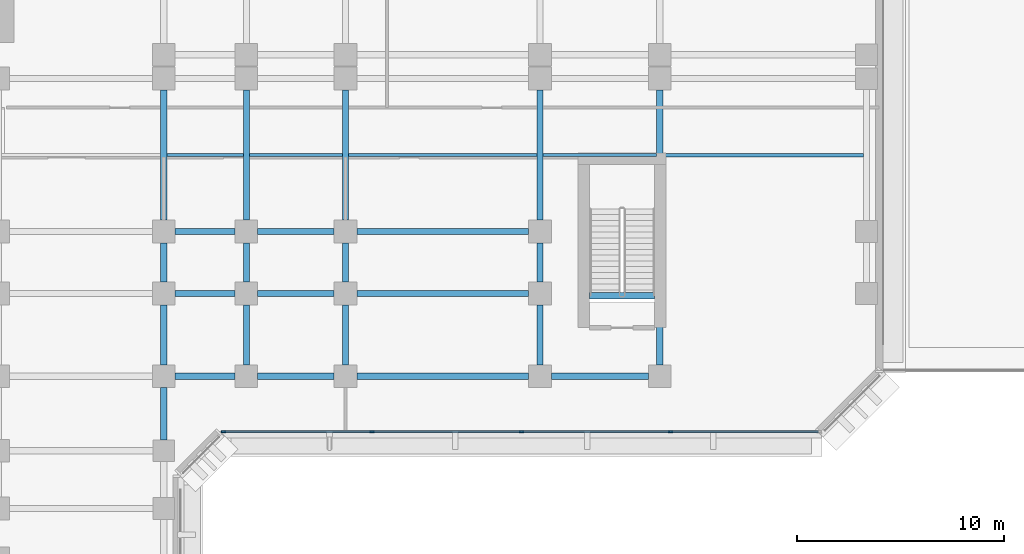
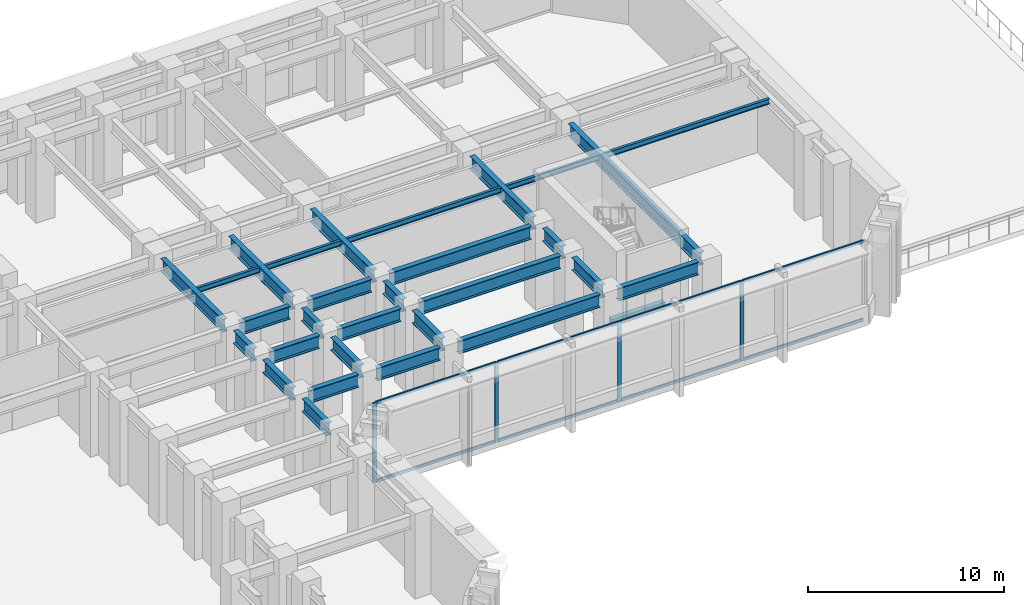
# One storey, part 3 of 16: 30 beams, 12 members, 1 element without a shape of its own.
"""IFC4 building model written with IfcOpenShell, lengths in metres."""

from ifc_helpers import new_model, si_unit, direction, frame, origin, origin_2d, place, context, subcontext, project, spatial, rectangle, i_section, extrude, material, layer, layer_set, material_profile, profile_set, type_object, element, aggregate, save


model = new_model("IFC4")

# Units and contexts
model_context = context("Model", 3, precision=1e-05, world=origin(), true_north=direction((0.0, 1.0)))
body_context = subcontext(model_context, "Body", "Model", "MODEL_VIEW")
ifc_project = project(units=[si_unit("LENGTHUNIT", "METRE"), si_unit("AREAUNIT", "SQUARE_METRE"), si_unit("VOLUMEUNIT", "CUBIC_METRE"), si_unit("PLANEANGLEUNIT", "RADIAN"), si_unit("MASSUNIT", "GRAM", prefix="KILO")], contexts=[model_context])

# Site, building, storey
site_placement = place(None, origin())
site = spatial("IfcSite", under=ifc_project, at=site_placement, CompositionType="ELEMENT")
building_placement = place(site_placement, origin())
building = spatial("IfcBuilding", under=site, at=building_placement, Name="Kefirva Bronze Tower", CompositionType="ELEMENT")
storey_placement = place(building_placement, frame((0.0, 0.0, 11.219970703125)))
storey = spatial("IfcBuildingStorey", under=building, at=storey_placement, Name="L02", CompositionType="ELEMENT", Elevation=11.219970703125)

# Curtain wall, members
ifc_material_1 = material(Name="Bronze anodised aluminium", Category="aluminium")
ifc_layer = layer(ifc_material_1, 0.239990234375, Name="Bronze anodised aluminium")
ifc_layer_set = layer_set([ifc_layer], Name="Bronze anodised aluminium")
curtain_wall_type = type_object("IfcCurtainWallType", Name="Podium Double-Height Glazed Curtain Wall", PredefinedType="USERDEFINED", material=ifc_layer_set)
curtain_wall_placement = place(storey_placement, origin())
curtain_wall = element("IfcCurtainWall", 1, at=curtain_wall_placement, inside=storey, type_object=curtain_wall_type, Name="L02 Curtain Wall 2", ObjectType="UNITISED CURTAIN WALL", PredefinedType="USERDEFINED")
ifc_material_profile_1 = material_profile(ifc_material_1, rectangle(XDim=0.090087890625, YDim=0.219970703125, at=origin_2d()), Name="ALU 90x220")
ifc_profile_set_1 = profile_set([ifc_material_profile_1], Name="Bronze anodised aluminium")
member_type_1 = type_object("IfcMemberType", Name="Bronze Mullion 90x220", PredefinedType="MULLION", material=ifc_profile_set_1)
member_1_placement = place(storey_placement, frame((34.10009765625, 16.1201171875, 0.0), z_axis=(0.0, 0.0, 1.0), x_axis=(0.0, 1.0, 0.0)))
member_1 = element("IfcMember", 2, at=member_1_placement, type_object=member_type_1, Name="CW-05 mullion 1", PredefinedType="MULLION", context=body_context, shape_type="SweptSolid", body=[
    extrude(rectangle(XDim=0.090087890625, YDim=0.219970703125, at=origin_2d()), origin(), (0.0, 0.0, 1.0), 4.9599609375),
])
member_2_placement = place(storey_placement, frame((41.277587890625, 16.1201171875, 0.0), z_axis=(0.0, 0.0, 1.0), x_axis=(0.0, 1.0, 0.0)))
member_2 = element("IfcMember", 3, at=member_2_placement, type_object=member_type_1, Name="CW-05 mullion 2", PredefinedType="MULLION", context=body_context, shape_type="SweptSolid", body=[
    extrude(rectangle(XDim=0.090087890625, YDim=0.219970703125, at=origin_2d()), origin(), (0.0, 0.0, 1.0), 4.9599609375),
])
member_3_placement = place(storey_placement, frame((48.5, 16.1201171875, 0.0), z_axis=(0.0, 0.0, 1.0), x_axis=(0.0, 1.0, 0.0)))
member_3 = element("IfcMember", 4, at=member_3_placement, type_object=member_type_1, Name="CW-05 mullion 3", PredefinedType="MULLION", context=body_context, shape_type="SweptSolid", body=[
    extrude(rectangle(XDim=0.090087890625, YDim=0.219970703125, at=origin_2d()), origin(), (0.0, 0.0, 1.0), 4.9599609375),
])
member_4_placement = place(storey_placement, frame((55.722412109375, 16.1201171875, 0.0), z_axis=(0.0, 0.0, 1.0), x_axis=(0.0, 1.0, 0.0)))
member_4 = element("IfcMember", 5, at=member_4_placement, type_object=member_type_1, Name="CW-05 mullion 4", PredefinedType="MULLION", context=body_context, shape_type="SweptSolid", body=[
    extrude(rectangle(XDim=0.090087890625, YDim=0.219970703125, at=origin_2d()), origin(), (0.0, 0.0, 1.0), 4.9599609375),
])
ifc_material_profile_2 = material_profile(ifc_material_1, rectangle(XDim=0.090087890625, YDim=0.179931640625, at=origin_2d()), Name="ALU 90x180")
ifc_profile_set_2 = profile_set([ifc_material_profile_2], Name="Bronze anodised aluminium")
member_type_2 = type_object("IfcMemberType", Name="Bronze Transom 90x180", PredefinedType="USERDEFINED", material=ifc_profile_set_2)
member_5_placement = place(storey_placement, frame((34.14501953125, 16.1201171875, 0.044921875), z_axis=(1.0, 0.0, 0.0), x_axis=(0.0, 1.0, 0.0)))
member_5 = element("IfcMember", 6, at=member_5_placement, type_object=member_type_2, Name="CW-05 transom 1.1", ObjectType="TRANSOM", PredefinedType="USERDEFINED", context=body_context, shape_type="SweptSolid", body=[
    extrude(rectangle(XDim=0.090087890625, YDim=0.179931640625, at=origin_2d()), origin(), (0.0, 0.0, 1.0), 7.08740234375),
])
member_6_placement = place(storey_placement, frame((34.14501953125, 16.1201171875, 4.9150390625), z_axis=(1.0, 0.0, 0.0), x_axis=(0.0, 1.0, 0.0)))
member_6 = element("IfcMember", 7, at=member_6_placement, type_object=member_type_2, Name="CW-05 transom 1.2", ObjectType="TRANSOM", PredefinedType="USERDEFINED", context=body_context, shape_type="SweptSolid", body=[
    extrude(rectangle(XDim=0.090087890625, YDim=0.179931640625, at=origin_2d()), origin(), (0.0, 0.0, 1.0), 7.08740234375),
])
member_7_placement = place(storey_placement, frame((41.322509765625, 16.1201171875, 0.044921875), z_axis=(1.0, 0.0, 0.0), x_axis=(0.0, 1.0, 0.0)))
member_7 = element("IfcMember", 8, at=member_7_placement, type_object=member_type_2, Name="CW-05 transom 2.1", ObjectType="TRANSOM", PredefinedType="USERDEFINED", context=body_context, shape_type="SweptSolid", body=[
    extrude(rectangle(XDim=0.090087890625, YDim=0.179931640625, at=origin_2d()), origin(), (0.0, 0.0, 1.0), 7.132568359375),
])
member_8_placement = place(storey_placement, frame((41.322509765625, 16.1201171875, 4.9150390625), z_axis=(1.0, 0.0, 0.0), x_axis=(0.0, 1.0, 0.0)))
member_8 = element("IfcMember", 9, at=member_8_placement, type_object=member_type_2, Name="CW-05 transom 2.2", ObjectType="TRANSOM", PredefinedType="USERDEFINED", context=body_context, shape_type="SweptSolid", body=[
    extrude(rectangle(XDim=0.090087890625, YDim=0.179931640625, at=origin_2d()), origin(), (0.0, 0.0, 1.0), 7.132568359375),
])
member_9_placement = place(storey_placement, frame((48.544921875, 16.1201171875, 0.044921875), z_axis=(1.0, 0.0, 0.0), x_axis=(0.0, 1.0, 0.0)))
member_9 = element("IfcMember", 10, at=member_9_placement, type_object=member_type_2, Name="CW-05 transom 3.1", ObjectType="TRANSOM", PredefinedType="USERDEFINED", context=body_context, shape_type="SweptSolid", body=[
    extrude(rectangle(XDim=0.090087890625, YDim=0.179931640625, at=origin_2d()), origin(), (0.0, 0.0, 1.0), 7.132568359375),
])
member_10_placement = place(storey_placement, frame((48.544921875, 16.1201171875, 4.9150390625), z_axis=(1.0, 0.0, 0.0), x_axis=(0.0, 1.0, 0.0)))
member_10 = element("IfcMember", 11, at=member_10_placement, type_object=member_type_2, Name="CW-05 transom 3.2", ObjectType="TRANSOM", PredefinedType="USERDEFINED", context=body_context, shape_type="SweptSolid", body=[
    extrude(rectangle(XDim=0.090087890625, YDim=0.179931640625, at=origin_2d()), origin(), (0.0, 0.0, 1.0), 7.132568359375),
])
member_11_placement = place(storey_placement, frame((55.767578125, 16.1201171875, 0.044921875), z_axis=(1.0, 0.0, 0.0), x_axis=(0.0, 1.0, 0.0)))
member_11 = element("IfcMember", 12, at=member_11_placement, type_object=member_type_2, Name="CW-05 transom 4.1", ObjectType="TRANSOM", PredefinedType="USERDEFINED", context=body_context, shape_type="SweptSolid", body=[
    extrude(rectangle(XDim=0.090087890625, YDim=0.179931640625, at=origin_2d()), origin(), (0.0, 0.0, 1.0), 7.08740234375),
])
member_12_placement = place(storey_placement, frame((55.767578125, 16.1201171875, 4.9150390625), z_axis=(1.0, 0.0, 0.0), x_axis=(0.0, 1.0, 0.0)))
member_12 = element("IfcMember", 13, at=member_12_placement, type_object=member_type_2, Name="CW-05 transom 4.2", ObjectType="TRANSOM", PredefinedType="USERDEFINED", context=body_context, shape_type="SweptSolid", body=[
    extrude(rectangle(XDim=0.090087890625, YDim=0.179931640625, at=origin_2d()), origin(), (0.0, 0.0, 1.0), 7.08740234375),
])
aggregate(curtain_wall, [member_1, member_2, member_3, member_4, member_5, member_6, member_7, member_8, member_9, member_10, member_11, member_12])

# Beams
ifc_material_2 = material(Name="Concrete C50/60", Category="concrete")
ifc_material_profile_3 = material_profile(ifc_material_2, rectangle(XDim=0.300048828125, YDim=0.449951171875, at=origin_2d()), Name="RC 300x450")
ifc_profile_set_3 = profile_set([ifc_material_profile_3], Name="Concrete C50/60")
beam_type_1 = type_object("IfcBeamType", Name="RC Stair Trimmer Beam 300x450", PredefinedType="BEAM", material=ifc_profile_set_3)
beam_1_placement = place(storey_placement, frame((51.794921875, 22.699951171875, -0.224853515625), z_axis=(1.0, 0.0, 0.0), x_axis=(0.0, 1.0, 0.0)))
element("IfcBeam", 14, at=beam_1_placement, inside=storey, type_object=beam_type_1, Name="L02 Stair 4 Landing Trimmer Beam", PredefinedType="BEAM", context=body_context, shape_type="SweptSolid", body=[
    extrude(rectangle(XDim=0.300048828125, YDim=0.449951171875, at=origin_2d()), origin(), (0.0, 0.0, 1.0), 3.150146484375),
])
ifc_material_3 = material(Name="Steel S355", Category="steel")
ifc_material_profile_4 = material_profile(ifc_material_3, i_section(OverallWidth=0.159912109375, OverallDepth=0.330078125, WebThickness=0.007568359375, FlangeThickness=0.011474609375, at=origin_2d()), Name="IPE 330")
ifc_profile_set_4 = profile_set([ifc_material_profile_4], Name="Steel S355")
beam_type_2 = type_object("IfcBeamType", Name="Steel Floor Joist IPE 330", PredefinedType="JOIST", material=ifc_profile_set_4)
beam_2_placement = place(storey_placement, frame((31.35009765625, 29.5, 4.794921875), z_axis=(1.0, 0.0, 0.0), x_axis=(0.0, 1.0, 0.0)))
element("IfcBeam", 15, at=beam_2_placement, inside=storey, type_object=beam_type_2, Name="L02 JST-L02-31-295", PredefinedType="JOIST", context=body_context, shape_type="SweptSolid", body=[
    extrude(i_section(OverallWidth=0.159912109375, OverallDepth=0.330078125, WebThickness=0.007568359375, FlangeThickness=0.011474609375, at=origin_2d()), origin(), (0.0, 0.0, 1.0), 3.699951171875),
])
beam_3_placement = place(storey_placement, frame((35.35009765625, 29.5, 4.794921875), z_axis=(1.0, 0.0, 0.0), x_axis=(0.0, 1.0, 0.0)))
element("IfcBeam", 16, at=beam_3_placement, inside=storey, type_object=beam_type_2, Name="L02 JST-L02-35-295", PredefinedType="JOIST", context=body_context, shape_type="SweptSolid", body=[
    extrude(i_section(OverallWidth=0.159912109375, OverallDepth=0.330078125, WebThickness=0.007568359375, FlangeThickness=0.011474609375, at=origin_2d()), origin(), (0.0, 0.0, 1.0), 4.5),
])
beam_4_placement = place(storey_placement, frame((40.14990234375, 29.5, 4.794921875), z_axis=(1.0, 0.0, 0.0), x_axis=(0.0, 1.0, 0.0)))
element("IfcBeam", 17, at=beam_4_placement, inside=storey, type_object=beam_type_2, Name="L02 JST-L02-40-295", PredefinedType="JOIST", context=body_context, shape_type="SweptSolid", body=[
    extrude(i_section(OverallWidth=0.159912109375, OverallDepth=0.330078125, WebThickness=0.007568359375, FlangeThickness=0.011474609375, at=origin_2d()), origin(), (0.0, 0.0, 1.0), 9.10009765625),
])
beam_5_placement = place(storey_placement, frame((49.550048828125, 29.5, 4.794921875), z_axis=(1.0, 0.0, 0.0), x_axis=(0.0, 1.0, 0.0)))
element("IfcBeam", 18, at=beam_5_placement, inside=storey, type_object=beam_type_2, Name="L02 JST-L02-49-295", PredefinedType="JOIST", context=body_context, shape_type="SweptSolid", body=[
    extrude(i_section(OverallWidth=0.159912109375, OverallDepth=0.330078125, WebThickness=0.007568359375, FlangeThickness=0.011474609375, at=origin_2d()), origin(), (0.0, 0.0, 1.0), 5.5),
])
beam_6_placement = place(storey_placement, frame((55.35009765625, 29.487548828125, 4.794921875), z_axis=(1.0, 0.0, 0.0), x_axis=(0.0, 1.0, 0.0)))
element("IfcBeam", 19, at=beam_6_placement, inside=storey, type_object=beam_type_2, Name="L02 JST-L02-55-294", PredefinedType="JOIST", context=body_context, shape_type="SweptSolid", body=[
    extrude(i_section(OverallWidth=0.159912109375, OverallDepth=0.330078125, WebThickness=0.007568359375, FlangeThickness=0.011474609375, at=origin_2d()), origin(), (0.0, 0.0, 1.0), 9.699951171875),
])
ifc_material_profile_5 = material_profile(ifc_material_3, i_section(OverallWidth=0.300048828125, OverallDepth=0.800048828125, WebThickness=0.017578125, FlangeThickness=0.032958984375, at=origin_2d()), Name="HEB 800")
ifc_profile_set_5 = profile_set([ifc_material_profile_5], Name="Steel S355")
beam_type_3 = type_object("IfcBeamType", Name="Steel Girder HEB 800", PredefinedType="USERDEFINED", material=ifc_profile_set_5)
beam_7_placement = place(storey_placement, frame((31.75, 18.800048828125, 4.56005859375), z_axis=(1.0, 0.0, 0.0), x_axis=(0.0, 1.0, 0.0)))
element("IfcBeam", 20, at=beam_7_placement, inside=storey, type_object=beam_type_3, Name="L02 BM-L02-EW-31-188", ObjectType="GIRDER", PredefinedType="USERDEFINED", context=body_context, shape_type="SweptSolid", body=[
    extrude(i_section(OverallWidth=0.300048828125, OverallDepth=0.800048828125, WebThickness=0.017578125, FlangeThickness=0.032958984375, at=origin_2d()), origin(), (0.0, 0.0, 1.0), 2.89990234375),
])
beam_8_placement = place(storey_placement, frame((35.75, 18.800048828125, 4.56005859375), z_axis=(1.0, 0.0, 0.0), x_axis=(0.0, 1.0, 0.0)))
element("IfcBeam", 21, at=beam_8_placement, inside=storey, type_object=beam_type_3, Name="L02 BM-L02-EW-35-188", ObjectType="GIRDER", PredefinedType="USERDEFINED", context=body_context, shape_type="SweptSolid", body=[
    extrude(i_section(OverallWidth=0.300048828125, OverallDepth=0.800048828125, WebThickness=0.017578125, FlangeThickness=0.032958984375, at=origin_2d()), origin(), (0.0, 0.0, 1.0), 3.699951171875),
])
beam_9_placement = place(storey_placement, frame((40.550048828125, 18.800048828125, 4.56005859375), z_axis=(1.0, 0.0, 0.0), x_axis=(0.0, 1.0, 0.0)))
element("IfcBeam", 22, at=beam_9_placement, inside=storey, type_object=beam_type_3, Name="L02 BM-L02-EW-40-188", ObjectType="GIRDER", PredefinedType="USERDEFINED", context=body_context, shape_type="SweptSolid", body=[
    extrude(i_section(OverallWidth=0.300048828125, OverallDepth=0.800048828125, WebThickness=0.017578125, FlangeThickness=0.032958984375, at=origin_2d()), origin(), (0.0, 0.0, 1.0), 8.300048828125),
])
beam_10_placement = place(storey_placement, frame((49.949951171875, 18.800048828125, 4.56005859375), z_axis=(1.0, 0.0, 0.0), x_axis=(0.0, 1.0, 0.0)))
element("IfcBeam", 23, at=beam_10_placement, inside=storey, type_object=beam_type_3, Name="L02 BM-L02-EW-49-188", ObjectType="GIRDER", PredefinedType="USERDEFINED", context=body_context, shape_type="SweptSolid", body=[
    extrude(i_section(OverallWidth=0.300048828125, OverallDepth=0.800048828125, WebThickness=0.017578125, FlangeThickness=0.032958984375, at=origin_2d()), origin(), (0.0, 0.0, 1.0), 4.699951171875),
])
beam_11_placement = place(storey_placement, frame((31.75, 22.800048828125, 4.56005859375), z_axis=(1.0, 0.0, 0.0), x_axis=(0.0, 1.0, 0.0)))
element("IfcBeam", 24, at=beam_11_placement, inside=storey, type_object=beam_type_3, Name="L02 BM-L02-EW-31-228", ObjectType="GIRDER", PredefinedType="USERDEFINED", context=body_context, shape_type="SweptSolid", body=[
    extrude(i_section(OverallWidth=0.300048828125, OverallDepth=0.800048828125, WebThickness=0.017578125, FlangeThickness=0.032958984375, at=origin_2d()), origin(), (0.0, 0.0, 1.0), 2.89990234375),
])
beam_12_placement = place(storey_placement, frame((35.75, 22.800048828125, 4.56005859375), z_axis=(1.0, 0.0, 0.0), x_axis=(0.0, 1.0, 0.0)))
element("IfcBeam", 25, at=beam_12_placement, inside=storey, type_object=beam_type_3, Name="L02 BM-L02-EW-35-228", ObjectType="GIRDER", PredefinedType="USERDEFINED", context=body_context, shape_type="SweptSolid", body=[
    extrude(i_section(OverallWidth=0.300048828125, OverallDepth=0.800048828125, WebThickness=0.017578125, FlangeThickness=0.032958984375, at=origin_2d()), origin(), (0.0, 0.0, 1.0), 3.699951171875),
])
beam_13_placement = place(storey_placement, frame((40.550048828125, 22.800048828125, 4.56005859375), z_axis=(1.0, 0.0, 0.0), x_axis=(0.0, 1.0, 0.0)))
element("IfcBeam", 26, at=beam_13_placement, inside=storey, type_object=beam_type_3, Name="L02 BM-L02-EW-40-228", ObjectType="GIRDER", PredefinedType="USERDEFINED", context=body_context, shape_type="SweptSolid", body=[
    extrude(i_section(OverallWidth=0.300048828125, OverallDepth=0.800048828125, WebThickness=0.017578125, FlangeThickness=0.032958984375, at=origin_2d()), origin(), (0.0, 0.0, 1.0), 8.300048828125),
])
beam_14_placement = place(storey_placement, frame((31.75, 25.800048828125, 4.56005859375), z_axis=(1.0, 0.0, 0.0), x_axis=(0.0, 1.0, 0.0)))
element("IfcBeam", 27, at=beam_14_placement, inside=storey, type_object=beam_type_3, Name="L02 BM-L02-EW-31-258", ObjectType="GIRDER", PredefinedType="USERDEFINED", context=body_context, shape_type="SweptSolid", body=[
    extrude(i_section(OverallWidth=0.300048828125, OverallDepth=0.800048828125, WebThickness=0.017578125, FlangeThickness=0.032958984375, at=origin_2d()), origin(), (0.0, 0.0, 1.0), 2.89990234375),
])
beam_15_placement = place(storey_placement, frame((35.75, 25.800048828125, 4.56005859375), z_axis=(1.0, 0.0, 0.0), x_axis=(0.0, 1.0, 0.0)))
element("IfcBeam", 28, at=beam_15_placement, inside=storey, type_object=beam_type_3, Name="L02 BM-L02-EW-35-258", ObjectType="GIRDER", PredefinedType="USERDEFINED", context=body_context, shape_type="SweptSolid", body=[
    extrude(i_section(OverallWidth=0.300048828125, OverallDepth=0.800048828125, WebThickness=0.017578125, FlangeThickness=0.032958984375, at=origin_2d()), origin(), (0.0, 0.0, 1.0), 3.699951171875),
])
beam_16_placement = place(storey_placement, frame((40.550048828125, 25.800048828125, 4.56005859375), z_axis=(1.0, 0.0, 0.0), x_axis=(0.0, 1.0, 0.0)))
element("IfcBeam", 29, at=beam_16_placement, inside=storey, type_object=beam_type_3, Name="L02 BM-L02-EW-40-258", ObjectType="GIRDER", PredefinedType="USERDEFINED", context=body_context, shape_type="SweptSolid", body=[
    extrude(i_section(OverallWidth=0.300048828125, OverallDepth=0.800048828125, WebThickness=0.017578125, FlangeThickness=0.032958984375, at=origin_2d()), origin(), (0.0, 0.0, 1.0), 8.300048828125),
])
beam_17_placement = place(storey_placement, frame((31.199951171875, 15.72509765625, 4.56005859375), z_axis=(0.0, 1.0, 0.0), x_axis=(-1.0, 0.0, 0.0)))
element("IfcBeam", 30, at=beam_17_placement, inside=storey, type_object=beam_type_3, Name="L02 BM-L02-NS-312-15", ObjectType="GIRDER", PredefinedType="USERDEFINED", context=body_context, shape_type="SweptSolid", body=[
    extrude(i_section(OverallWidth=0.300048828125, OverallDepth=0.800048828125, WebThickness=0.017578125, FlangeThickness=0.032958984375, at=origin_2d()), origin(), (0.0, 0.0, 1.0), 2.52490234375),
])
beam_18_placement = place(storey_placement, frame((31.199951171875, 19.35009765625, 4.56005859375), z_axis=(0.0, 1.0, 0.0), x_axis=(-1.0, 0.0, 0.0)))
element("IfcBeam", 31, at=beam_18_placement, inside=storey, type_object=beam_type_3, Name="L02 BM-L02-NS-312-18", ObjectType="GIRDER", PredefinedType="USERDEFINED", context=body_context, shape_type="SweptSolid", body=[
    extrude(i_section(OverallWidth=0.300048828125, OverallDepth=0.800048828125, WebThickness=0.017578125, FlangeThickness=0.032958984375, at=origin_2d()), origin(), (0.0, 0.0, 1.0), 2.89990234375),
])
beam_19_placement = place(storey_placement, frame((31.199951171875, 23.35009765625, 4.56005859375), z_axis=(0.0, 1.0, 0.0), x_axis=(-1.0, 0.0, 0.0)))
element("IfcBeam", 32, at=beam_19_placement, inside=storey, type_object=beam_type_3, Name="L02 BM-L02-NS-312-22", ObjectType="GIRDER", PredefinedType="USERDEFINED", context=body_context, shape_type="SweptSolid", body=[
    extrude(i_section(OverallWidth=0.300048828125, OverallDepth=0.800048828125, WebThickness=0.017578125, FlangeThickness=0.032958984375, at=origin_2d()), origin(), (0.0, 0.0, 1.0), 1.89990234375),
])
beam_20_placement = place(storey_placement, frame((31.199951171875, 26.35009765625, 4.56005859375), z_axis=(0.0, 1.0, 0.0), x_axis=(-1.0, 0.0, 0.0)))
element("IfcBeam", 33, at=beam_20_placement, inside=storey, type_object=beam_type_3, Name="L02 BM-L02-NS-312-25", ObjectType="GIRDER", PredefinedType="USERDEFINED", context=body_context, shape_type="SweptSolid", body=[
    extrude(i_section(OverallWidth=0.300048828125, OverallDepth=0.800048828125, WebThickness=0.017578125, FlangeThickness=0.032958984375, at=origin_2d()), origin(), (0.0, 0.0, 1.0), 6.2998046875),
])
beam_21_placement = place(storey_placement, frame((35.199951171875, 19.35009765625, 4.56005859375), z_axis=(0.0, 1.0, 0.0), x_axis=(-1.0, 0.0, 0.0)))
element("IfcBeam", 34, at=beam_21_placement, inside=storey, type_object=beam_type_3, Name="L02 BM-L02-NS-352-18", ObjectType="GIRDER", PredefinedType="USERDEFINED", context=body_context, shape_type="SweptSolid", body=[
    extrude(i_section(OverallWidth=0.300048828125, OverallDepth=0.800048828125, WebThickness=0.017578125, FlangeThickness=0.032958984375, at=origin_2d()), origin(), (0.0, 0.0, 1.0), 2.89990234375),
])
beam_22_placement = place(storey_placement, frame((35.199951171875, 23.35009765625, 4.56005859375), z_axis=(0.0, 1.0, 0.0), x_axis=(-1.0, 0.0, 0.0)))
element("IfcBeam", 35, at=beam_22_placement, inside=storey, type_object=beam_type_3, Name="L02 BM-L02-NS-352-22", ObjectType="GIRDER", PredefinedType="USERDEFINED", context=body_context, shape_type="SweptSolid", body=[
    extrude(i_section(OverallWidth=0.300048828125, OverallDepth=0.800048828125, WebThickness=0.017578125, FlangeThickness=0.032958984375, at=origin_2d()), origin(), (0.0, 0.0, 1.0), 1.89990234375),
])
beam_23_placement = place(storey_placement, frame((35.199951171875, 26.35009765625, 4.56005859375), z_axis=(0.0, 1.0, 0.0), x_axis=(-1.0, 0.0, 0.0)))
element("IfcBeam", 36, at=beam_23_placement, inside=storey, type_object=beam_type_3, Name="L02 BM-L02-NS-352-25", ObjectType="GIRDER", PredefinedType="USERDEFINED", context=body_context, shape_type="SweptSolid", body=[
    extrude(i_section(OverallWidth=0.300048828125, OverallDepth=0.800048828125, WebThickness=0.017578125, FlangeThickness=0.032958984375, at=origin_2d()), origin(), (0.0, 0.0, 1.0), 6.2998046875),
])
beam_24_placement = place(storey_placement, frame((40.0, 19.35009765625, 4.56005859375), z_axis=(0.0, 1.0, 0.0), x_axis=(-1.0, 0.0, 0.0)))
element("IfcBeam", 37, at=beam_24_placement, inside=storey, type_object=beam_type_3, Name="L02 BM-L02-NS-400-18", ObjectType="GIRDER", PredefinedType="USERDEFINED", context=body_context, shape_type="SweptSolid", body=[
    extrude(i_section(OverallWidth=0.300048828125, OverallDepth=0.800048828125, WebThickness=0.017578125, FlangeThickness=0.032958984375, at=origin_2d()), origin(), (0.0, 0.0, 1.0), 2.89990234375),
])
beam_25_placement = place(storey_placement, frame((40.0, 23.35009765625, 4.56005859375), z_axis=(0.0, 1.0, 0.0), x_axis=(-1.0, 0.0, 0.0)))
element("IfcBeam", 38, at=beam_25_placement, inside=storey, type_object=beam_type_3, Name="L02 BM-L02-NS-400-22", ObjectType="GIRDER", PredefinedType="USERDEFINED", context=body_context, shape_type="SweptSolid", body=[
    extrude(i_section(OverallWidth=0.300048828125, OverallDepth=0.800048828125, WebThickness=0.017578125, FlangeThickness=0.032958984375, at=origin_2d()), origin(), (0.0, 0.0, 1.0), 1.89990234375),
])
beam_26_placement = place(storey_placement, frame((40.0, 26.35009765625, 4.56005859375), z_axis=(0.0, 1.0, 0.0), x_axis=(-1.0, 0.0, 0.0)))
element("IfcBeam", 39, at=beam_26_placement, inside=storey, type_object=beam_type_3, Name="L02 BM-L02-NS-400-25", ObjectType="GIRDER", PredefinedType="USERDEFINED", context=body_context, shape_type="SweptSolid", body=[
    extrude(i_section(OverallWidth=0.300048828125, OverallDepth=0.800048828125, WebThickness=0.017578125, FlangeThickness=0.032958984375, at=origin_2d()), origin(), (0.0, 0.0, 1.0), 6.2998046875),
])
beam_27_placement = place(storey_placement, frame((49.39990234375, 19.35009765625, 4.56005859375), z_axis=(0.0, 1.0, 0.0), x_axis=(-1.0, 0.0, 0.0)))
element("IfcBeam", 40, at=beam_27_placement, inside=storey, type_object=beam_type_3, Name="L02 BM-L02-NS-494-18", ObjectType="GIRDER", PredefinedType="USERDEFINED", context=body_context, shape_type="SweptSolid", body=[
    extrude(i_section(OverallWidth=0.300048828125, OverallDepth=0.800048828125, WebThickness=0.017578125, FlangeThickness=0.032958984375, at=origin_2d()), origin(), (0.0, 0.0, 1.0), 2.89990234375),
])
beam_28_placement = place(storey_placement, frame((49.39990234375, 23.35009765625, 4.56005859375), z_axis=(0.0, 1.0, 0.0), x_axis=(-1.0, 0.0, 0.0)))
element("IfcBeam", 41, at=beam_28_placement, inside=storey, type_object=beam_type_3, Name="L02 BM-L02-NS-494-22", ObjectType="GIRDER", PredefinedType="USERDEFINED", context=body_context, shape_type="SweptSolid", body=[
    extrude(i_section(OverallWidth=0.300048828125, OverallDepth=0.800048828125, WebThickness=0.017578125, FlangeThickness=0.032958984375, at=origin_2d()), origin(), (0.0, 0.0, 1.0), 1.89990234375),
])
beam_29_placement = place(storey_placement, frame((49.39990234375, 26.35009765625, 4.56005859375), z_axis=(0.0, 1.0, 0.0), x_axis=(-1.0, 0.0, 0.0)))
element("IfcBeam", 42, at=beam_29_placement, inside=storey, type_object=beam_type_3, Name="L02 BM-L02-NS-494-25", ObjectType="GIRDER", PredefinedType="USERDEFINED", context=body_context, shape_type="SweptSolid", body=[
    extrude(i_section(OverallWidth=0.300048828125, OverallDepth=0.800048828125, WebThickness=0.017578125, FlangeThickness=0.032958984375, at=origin_2d()), origin(), (0.0, 0.0, 1.0), 6.2998046875),
])
beam_30_placement = place(storey_placement, frame((55.199951171875, 19.35009765625, 4.56005859375), z_axis=(0.0, 1.0, 0.0), x_axis=(-1.0, 0.0, 0.0)))
element("IfcBeam", 43, at=beam_30_placement, inside=storey, type_object=beam_type_3, Name="L02 BM-L02-NS-552-18", ObjectType="GIRDER", PredefinedType="USERDEFINED", context=body_context, shape_type="SweptSolid", body=[
    extrude(i_section(OverallWidth=0.300048828125, OverallDepth=0.800048828125, WebThickness=0.017578125, FlangeThickness=0.032958984375, at=origin_2d()), origin(), (0.0, 0.0, 1.0), 13.2998046875),
])

save(model, "model.ifc")
